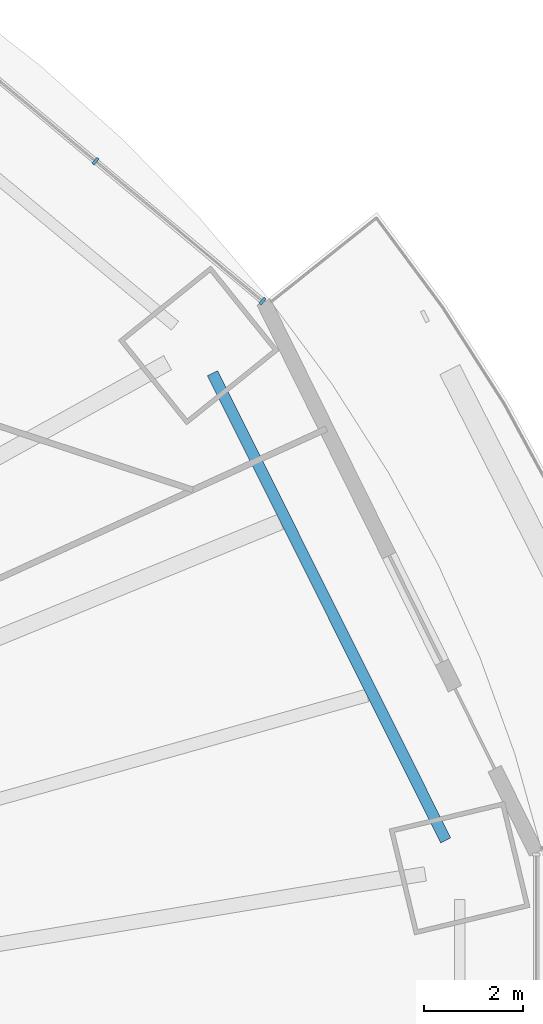
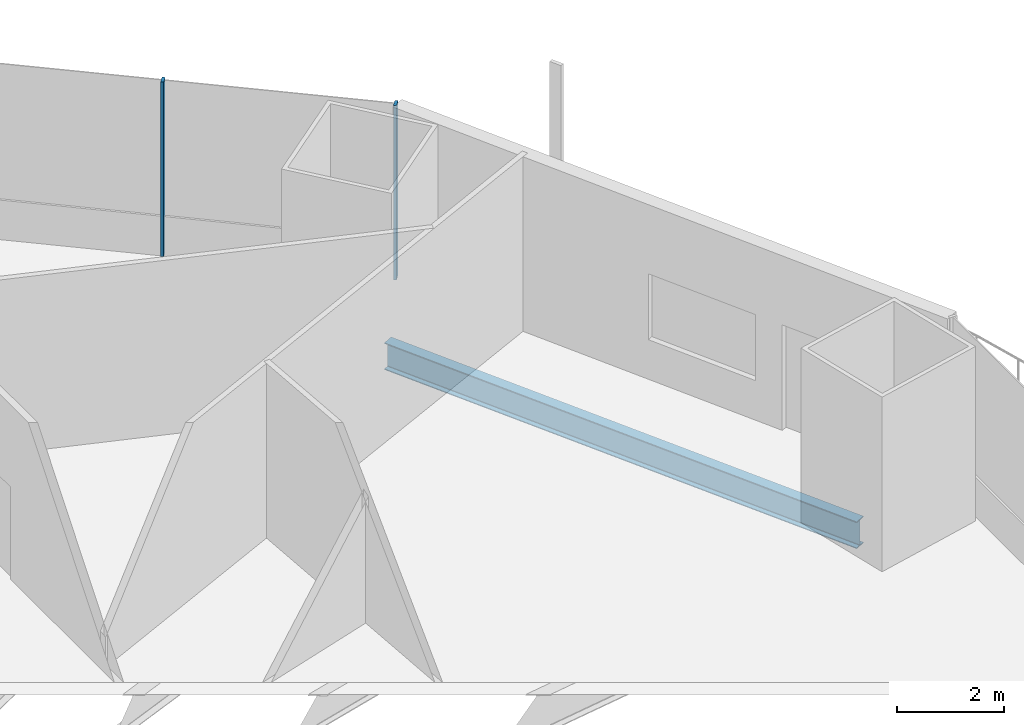
# One storey, part 12 of 23: 2 members, 1 beam, 1 element without a shape of its own.
"""IFC4 building model written with IfcOpenShell, lengths in metres."""

from ifc_helpers import new_model, si_unit, direction, frame, origin, origin_2d, place, context, subcontext, project, spatial, rectangle, i_section, extrude, material, material_profile, profile_set, type_object, element, aggregate, save


model = new_model("IFC4")

# Units and contexts
model_context = context("Model", 3, precision=1e-05, world=origin(), true_north=direction((0.0, 1.0)))
body_context = subcontext(model_context, "Body", "Model", "MODEL_VIEW")
ifc_project = project(units=[si_unit("LENGTHUNIT", "METRE"), si_unit("AREAUNIT", "SQUARE_METRE"), si_unit("VOLUMEUNIT", "CUBIC_METRE"), si_unit("PLANEANGLEUNIT", "RADIAN"), si_unit("MASSUNIT", "GRAM", prefix="KILO")], contexts=[model_context])

# Site, building, storey
site_placement = place(None, origin())
site = spatial("IfcSite", under=ifc_project, at=site_placement, CompositionType="ELEMENT")
building_placement = place(site_placement, origin())
building = spatial("IfcBuilding", under=site, at=building_placement, Name="Marenthal Gate Tower", CompositionType="ELEMENT")
storey_placement = place(building_placement, frame((0.0, 0.0, 37.14990234375)))
storey = spatial("IfcBuildingStorey", under=building, at=storey_placement, Name="L05", CompositionType="ELEMENT", Elevation=37.14990234375)

# Curtain wall, members
ifc_material_1 = material(Name="Aluminium and glass", Category="aluminium")
curtain_wall_type = type_object("IfcCurtainWallType", Name="Curtain wall typical low", PredefinedType="NOTDEFINED", material=ifc_material_1)
curtain_wall_placement = place(storey_placement, origin())
curtain_wall = element("IfcCurtainWall", 1, at=curtain_wall_placement, inside=storey, type_object=curtain_wall_type, Name="Curtain wall L05 bay 2", PredefinedType="NOTDEFINED")
ifc_material_2 = material(Name="Aluminium", Category="aluminium")
ifc_material_profile_1 = material_profile(ifc_material_2, rectangle(XDim=0.159912109375, YDim=0.06005859375, at=origin_2d()), Name="60x160 aluminium mullion")
ifc_profile_set_1 = profile_set([ifc_material_profile_1], Name="Aluminium")
member_type = type_object("IfcMemberType", Name="Mullion 60x160 typical low", PredefinedType="MULLION", material=ifc_profile_set_1)
member_1_placement = place(storey_placement, frame((30.6416015625, 17.17529296875, 0.0), z_axis=(0.0, 0.0, 1.0), x_axis=(-0.641982192245, -0.76671954771, 0.0)))
member_1 = element("IfcMember", 2, at=member_1_placement, type_object=member_type, Name="Mullion L05 bay 2.1", PredefinedType="MULLION", context=body_context, shape_type="SweptSolid", body=[
    extrude(rectangle(XDim=0.159912109375, YDim=0.06005859375, at=origin_2d()), origin(), (0.0, 0.0, 1.0), 3.97021484375),
])
member_2_placement = place(storey_placement, frame((27.26513671875, 20.00244140625, 0.0), z_axis=(0.0, 0.0, 1.0), x_axis=(-0.641982192245, -0.76671954771, 0.0)))
member_2 = element("IfcMember", 3, at=member_2_placement, type_object=member_type, Name="Mullion L05 bay 2.2", PredefinedType="MULLION", context=body_context, shape_type="SweptSolid", body=[
    extrude(rectangle(XDim=0.159912109375, YDim=0.06005859375, at=origin_2d()), origin(), (0.0, 0.0, 1.0), 3.97021484375),
])
aggregate(curtain_wall, [member_1, member_2])

# Beam
ifc_material_3 = material(Name="Steel S355", Category="steel")
ifc_material_profile_2 = material_profile(ifc_material_3, i_section(OverallWidth=0.22900390625, OverallDepth=0.612060546875, WebThickness=0.011962890625, FlangeThickness=0.01953125, FilletRadius=0.0126953125, at=origin_2d()), Name="W610X125")
ifc_profile_set_2 = profile_set([ifc_material_profile_2], Name="Steel S355")
beam_type = type_object("IfcBeamType", Name="W610X125 beam", PredefinedType="BEAM", material=ifc_profile_set_2)
beam_placement = place(storey_placement, frame((34.3408203125, 6.279052734375, -0.48583984375), z_axis=(-0.446519173672, 0.894774065082, 0.0), x_axis=(-0.894774065082, -0.446519173672, 0.0)))
element("IfcBeam", 4, at=beam_placement, inside=storey, type_object=beam_type, Name="BM-L05-41", PredefinedType="BEAM", context=body_context, shape_type="SweptSolid", body=[
    extrude(i_section(OverallWidth=0.22900390625, OverallDepth=0.612060546875, WebThickness=0.011962890625, FlangeThickness=0.01953125, FilletRadius=0.0126953125, at=origin_2d()), origin(), (0.0, 0.0, 1.0), 10.54931640625),
])

save(model, "model.ifc")
